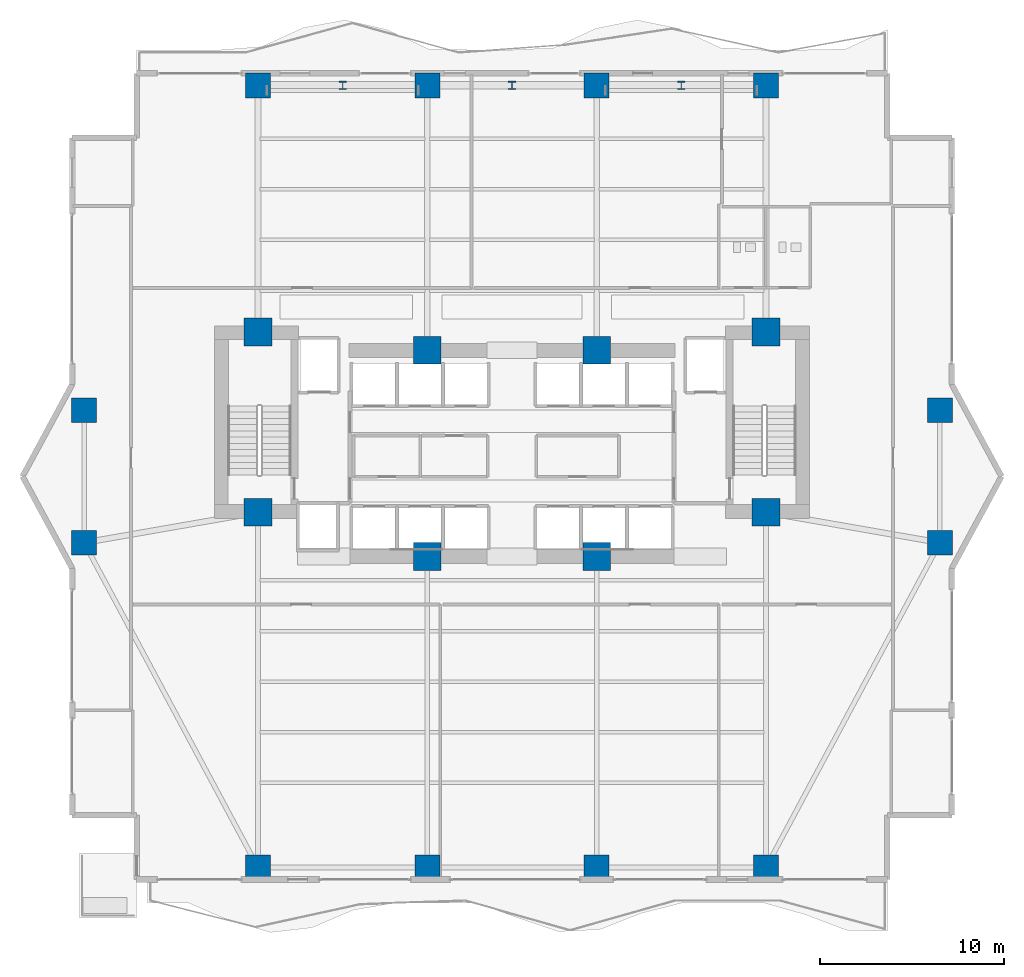
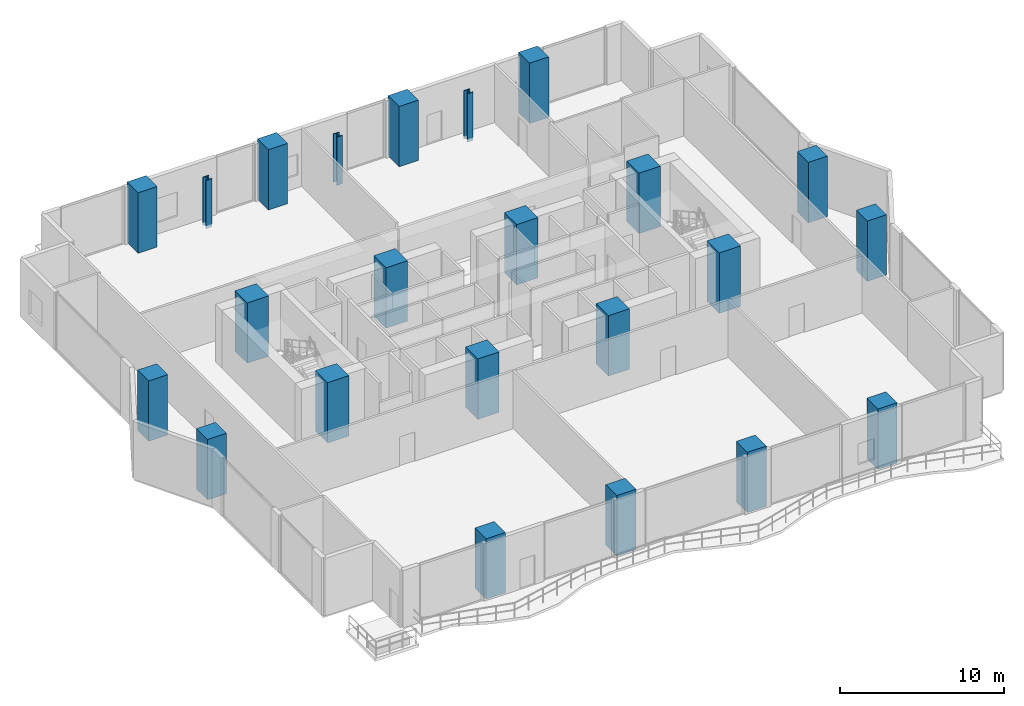
# One storey, part 1 of 33: 23 columns.
"""IFC4 building model written with IfcOpenShell, lengths in metres."""

from ifc_helpers import new_model, si_unit, direction, frame, origin, origin_2d, place, context, subcontext, project, spatial, rectangle, i_section, extrude, material, material_profile, profile_set, type_object, element, save


model = new_model("IFC4")

# Units and contexts
model_context = context("Model", 3, precision=1e-05, world=origin(), true_north=direction((0.0, 1.0)))
body_context = subcontext(model_context, "Body", "Model", "MODEL_VIEW")
ifc_project = project(units=[si_unit("LENGTHUNIT", "METRE"), si_unit("AREAUNIT", "SQUARE_METRE"), si_unit("VOLUMEUNIT", "CUBIC_METRE"), si_unit("PLANEANGLEUNIT", "RADIAN"), si_unit("MASSUNIT", "GRAM", prefix="KILO")], contexts=[model_context])

# Site, building, storey
site_placement = place(None, origin())
site = spatial("IfcSite", under=ifc_project, at=site_placement, CompositionType="ELEMENT")
building_placement = place(site_placement, origin())
building = spatial("IfcBuilding", under=site, at=building_placement, Name="Zuhayl Quay Hotel", CompositionType="ELEMENT")
storey_placement = place(building_placement, frame((0.0, 0.0, 154.050048828125)))
storey = spatial("IfcBuildingStorey", under=building, at=storey_placement, Name="L39", CompositionType="ELEMENT", Elevation=154.050048828125)

# Columns
ifc_material_1 = material(Name="Concrete C70/85", Category="concrete")
ifc_material_profile_1 = material_profile(ifc_material_1, rectangle(XDim=1.5, YDim=1.5, at=origin_2d()), Name="RC1500X1500")
ifc_profile_set_1 = profile_set([ifc_material_profile_1], Name="Concrete C70/85")
column_type_1 = type_object("IfcColumnType", Name="CL_CC1_1500", PredefinedType="COLUMN", material=ifc_profile_set_1)
for number, where, z_axis, x_axis, name in (
    (1, (-13.800048828125, 14.35009765625, 0.0), (0.0, 0.0, 1.0), (1.0, 0.0, 0.0), "L39 Core Column CC_NW"),
    (2, (-4.60009765625, 13.35009765625, 0.0), (0.0, 0.0, 1.0), (1.0, 0.0, 0.0), "L39 Core Column CC_CNW"),
    (3, (4.60009765625, 13.35009765625, 0.0), (0.0, 0.0, 1.0), (1.0, 0.0, 0.0), "L39 Core Column CC_CNE"),
    (4, (13.800048828125, 14.35009765625, 0.0), (0.0, 0.0, 1.0), (1.0, 0.0, 0.0), "L39 Core Column CC_NE"),
    (5, (-13.800048828125, 4.550048828125, 0.0), (0.0, 0.0, 1.0), (1.0, 0.0, 0.0), "L39 Core Column CC_SW"),
    (6, (-4.60009765625, 2.14990234375, 0.0), (0.0, 0.0, 1.0), (1.0, 0.0, 0.0), "L39 Core Column CC_CSW"),
    (7, (4.60009765625, 2.14990234375, 0.0), (0.0, 0.0, 1.0), (1.0, 0.0, 0.0), "L39 Core Column CC_CSE"),
    (8, (13.800048828125, 4.550048828125, 0.0), (0.0, 0.0, 1.0), (1.0, 0.0, 0.0), "L39 Core Column CC_SE"),
):
    element("IfcColumn", number, at=place(storey_placement, frame(where, z_axis=z_axis, x_axis=x_axis)), inside=storey, type_object=column_type_1, Name=name, PredefinedType="COLUMN", context=body_context, shape_type="SweptSolid", body=[
        extrude(rectangle(XDim=1.5, YDim=1.5, at=origin_2d()), origin(), (0.0, 0.0, 1.0), 4.5),
    ])
ifc_material_profile_2 = material_profile(ifc_material_1, rectangle(XDim=1.35009765625, YDim=1.35009765625, at=origin_2d()), Name="RC1350X1350")
ifc_profile_set_2 = profile_set([ifc_material_profile_2], Name="Concrete C70/85")
column_type_2 = type_object("IfcColumnType", Name="CL_MC2_1350", PredefinedType="COLUMN", material=ifc_profile_set_2)
for number, where, z_axis, x_axis, name in (
    (9, (-13.800048828125, -14.75, 0.0), (0.0, 0.0, 1.0), (1.0, 0.0, 0.0), "L39 Mega-Column MC_S1"),
    (10, (-4.60009765625, -14.75, 0.0), (0.0, 0.0, 1.0), (1.0, 0.0, 0.0), "L39 Mega-Column MC_S2"),
    (11, (4.60009765625, -14.75, 0.0), (0.0, 0.0, 1.0), (1.0, 0.0, 0.0), "L39 Mega-Column MC_S3"),
    (12, (13.800048828125, -14.75, 0.0), (0.0, 0.0, 1.0), (1.0, 0.0, 0.0), "L39 Mega-Column MC_S4"),
    (13, (-13.800048828125, 27.75, 0.0), (0.0, 0.0, 1.0), (1.0, 0.0, 0.0), "L39 Mega-Column MC_N1"),
    (14, (-4.60009765625, 27.75, 0.0), (0.0, 0.0, 1.0), (1.0, 0.0, 0.0), "L39 Mega-Column MC_N2"),
    (15, (4.60009765625, 27.75, 0.0), (0.0, 0.0, 1.0), (1.0, 0.0, 0.0), "L39 Mega-Column MC_N3"),
    (16, (13.800048828125, 27.75, 0.0), (0.0, 0.0, 1.0), (1.0, 0.0, 0.0), "L39 Mega-Column MC_N4"),
    (17, (-23.25, 2.89990234375, 0.0), (0.0, 0.0, 1.0), (1.0, 0.0, 0.0), "L39 Mega-Column MC_W1"),
    (18, (-23.25, 10.10009765625, 0.0), (0.0, 0.0, 1.0), (1.0, 0.0, 0.0), "L39 Mega-Column MC_W2"),
    (19, (23.25, 2.89990234375, 0.0), (0.0, 0.0, 1.0), (1.0, 0.0, 0.0), "L39 Mega-Column MC_E1"),
    (20, (23.25, 10.10009765625, 0.0), (0.0, 0.0, 1.0), (1.0, 0.0, 0.0), "L39 Mega-Column MC_E2"),
):
    element("IfcColumn", number, at=place(storey_placement, frame(where, z_axis=z_axis, x_axis=x_axis)), inside=storey, type_object=column_type_2, Name=name, PredefinedType="COLUMN", context=body_context, shape_type="SweptSolid", body=[
        extrude(rectangle(XDim=1.35009765625, YDim=1.35009765625, at=origin_2d()), origin(), (0.0, 0.0, 1.0), 4.5),
    ])
ifc_material_2 = material(Name="Steel ASTM A913 Grade 65", Category="steel")
ifc_material_profile_3 = material_profile(ifc_material_2, i_section(OverallWidth=0.416015625, OverallDepth=0.445068359375, WebThickness=0.0390625, FlangeThickness=0.062744140625, at=origin_2d()), Name="W14X342")
ifc_profile_set_3 = profile_set([ifc_material_profile_3], Name="Steel ASTM A913 Grade 65")
column_type_3 = type_object("IfcColumnType", Name="CL_PIL_W14_342", PredefinedType="PILASTER", material=ifc_profile_set_3)
for number, where, z_axis, x_axis, name in (
    (21, (-9.199951171875, 27.75, -0.219970703125), (0.0, 0.0, 1.0), (1.0, 0.0, 0.0), "L39 Sky-Lobby Facade Pilaster PL1-1"),
    (22, (0.0, 27.75, -0.219970703125), (0.0, 0.0, 1.0), (1.0, 0.0, 0.0), "L39 Sky-Lobby Facade Pilaster PL1-2"),
    (23, (9.199951171875, 27.75, -0.219970703125), (0.0, 0.0, 1.0), (1.0, 0.0, 0.0), "L39 Sky-Lobby Facade Pilaster PL1-3"),
):
    element("IfcColumn", number, at=place(storey_placement, frame(where, z_axis=z_axis, x_axis=x_axis)), inside=storey, type_object=column_type_3, Name=name, PredefinedType="PILASTER", context=body_context, shape_type="SweptSolid", body=[
        extrude(i_section(OverallWidth=0.416015625, OverallDepth=0.445068359375, WebThickness=0.0390625, FlangeThickness=0.062744140625, at=origin_2d()), origin(), (0.0, 0.0, 1.0), 3.599853515625),
    ])

save(model, "model.ifc")
